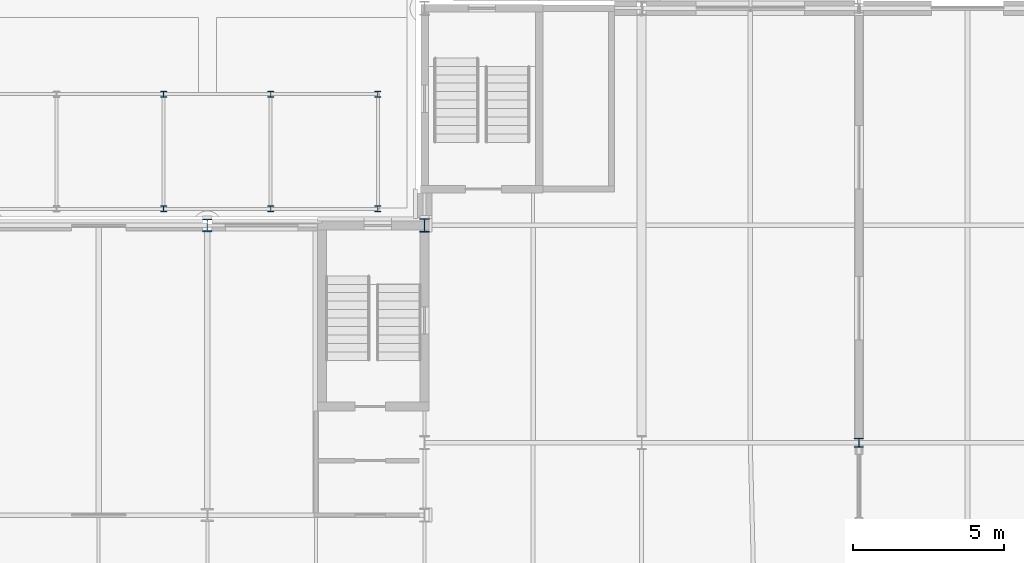
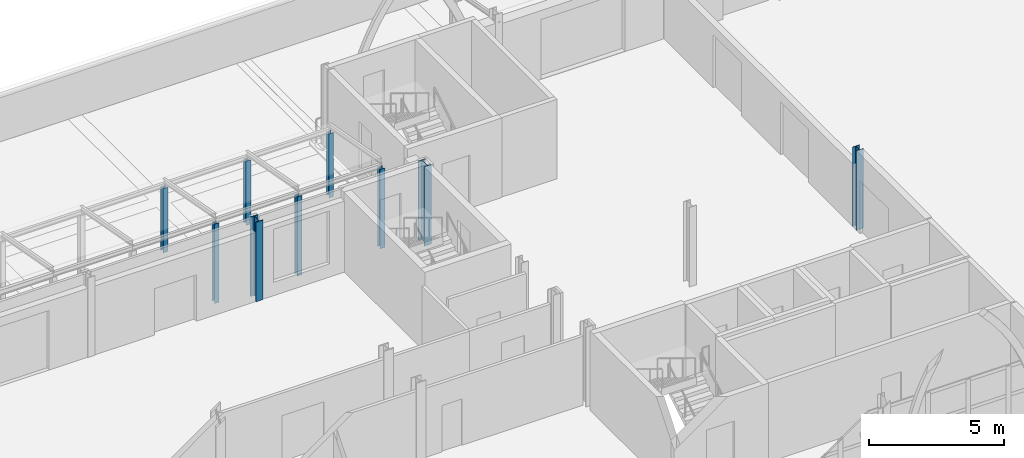
# One storey, part 24 of 143: 9 columns.
"""IFC4 building model written with IfcOpenShell, lengths in metres."""

from ifc_helpers import new_model, si_unit, direction, frame, origin, origin_2d, place, context, subcontext, project, spatial, i_section, extrude, material, material_profile, profile_set, type_object, element, save


model = new_model("IFC4")

# Units and contexts
model_context = context("Model", 3, precision=1e-05, world=origin(), true_north=direction((0.0, 1.0)))
body_context = subcontext(model_context, "Body", "Model", "MODEL_VIEW")
ifc_project = project(units=[si_unit("LENGTHUNIT", "METRE"), si_unit("AREAUNIT", "SQUARE_METRE"), si_unit("VOLUMEUNIT", "CUBIC_METRE"), si_unit("PLANEANGLEUNIT", "RADIAN"), si_unit("MASSUNIT", "GRAM", prefix="KILO")], contexts=[model_context])

# Site, building, storey
site_placement = place(None, origin())
site = spatial("IfcSite", under=ifc_project, at=site_placement, CompositionType="ELEMENT")
building_placement = place(site_placement, origin())
building = spatial("IfcBuilding", under=site, at=building_placement, Name="Kupolbacken Congress Centre", CompositionType="ELEMENT")
storey_placement = place(building_placement, frame((0.0, 0.0, 7.199951171875)))
storey = spatial("IfcBuildingStorey", under=building, at=storey_placement, Name="L02", CompositionType="ELEMENT", Elevation=7.199951171875)

# Columns
ifc_material_1 = material(Name="Steel S355", Category="steel")
ifc_material_profile_1 = material_profile(ifc_material_1, i_section(OverallWidth=0.306884765625, OverallDepth=0.431884765625, WebThickness=0.02099609375, FlangeThickness=0.0400390625, FilletRadius=0.027099609375, at=origin_2d()), Name="HEM 400")
ifc_profile_set_1 = profile_set([ifc_material_profile_1], Name="Steel S355")
column_type_1 = type_object("IfcColumnType", Name="C02 column HEM 400", PredefinedType="COLUMN", material=ifc_profile_set_1)
column_1_placement = place(storey_placement, frame((129.60009765625, 144.0, 0.0), z_axis=(0.0, 0.0, 1.0), x_axis=(1.0, 0.0, 0.0)))
element("IfcColumn", 1, at=column_1_placement, inside=storey, type_object=column_type_1, Name="S/col/C-T-19W/L02", PredefinedType="COLUMN", context=body_context, shape_type="SweptSolid", body=[
    extrude(i_section(OverallWidth=0.306884765625, OverallDepth=0.431884765625, WebThickness=0.02099609375, FlangeThickness=0.0400390625, FilletRadius=0.027099609375, at=origin_2d()), origin(), (0.0, 0.0, 1.0), 3.60009765625),
])
ifc_material_2 = material(Name="Steel S355", Category="steel")
ifc_material_profile_2 = material_profile(ifc_material_2, i_section(OverallWidth=0.300048828125, OverallDepth=0.449951171875, WebThickness=0.013916015625, FlangeThickness=0.02587890625, FilletRadius=0.027099609375, at=origin_2d()), Name="HEB 450")
ifc_profile_set_2 = profile_set([ifc_material_profile_2], Name="Steel S355")
column_type_2 = type_object("IfcColumnType", Name="C03 column HEB 450", PredefinedType="COLUMN", material=ifc_profile_set_2)
column_2_placement = place(storey_placement, frame((136.800048828125, 144.0, 0.0), z_axis=(0.0, 0.0, 1.0), x_axis=(1.0, 0.0, 0.0)))
element("IfcColumn", 2, at=column_2_placement, inside=storey, type_object=column_type_2, Name="S/col/C-T-20W/L02", PredefinedType="COLUMN", context=body_context, shape_type="SweptSolid", body=[
    extrude(i_section(OverallWidth=0.300048828125, OverallDepth=0.449951171875, WebThickness=0.013916015625, FlangeThickness=0.02587890625, FilletRadius=0.027099609375, at=origin_2d()), origin(), (0.0, 0.0, 1.0), 3.60009765625),
])
ifc_material_3 = material(Name="Steel S355", Category="steel")
ifc_material_profile_3 = material_profile(ifc_material_3, i_section(OverallWidth=0.300048828125, OverallDepth=0.300048828125, WebThickness=0.010986328125, FlangeThickness=0.01904296875, FilletRadius=0.027099609375, at=origin_2d()), Name="HEB 300")
ifc_profile_set_3 = profile_set([ifc_material_profile_3], Name="Steel S355")
column_type_3 = type_object("IfcColumnType", Name="C06 column HEB 300", PredefinedType="COLUMN", material=ifc_profile_set_3)
column_3_placement = place(storey_placement, frame((151.199951171875, 136.800048828125, 0.0), z_axis=(0.0, 0.0, 1.0), x_axis=(1.0, 0.0, 0.0)))
element("IfcColumn", 3, at=column_3_placement, inside=storey, type_object=column_type_3, Name="S/col/C-B-W/L02", PredefinedType="COLUMN", context=body_context, shape_type="SweptSolid", body=[
    extrude(i_section(OverallWidth=0.300048828125, OverallDepth=0.300048828125, WebThickness=0.010986328125, FlangeThickness=0.01904296875, FilletRadius=0.027099609375, at=origin_2d()), origin(), (0.0, 0.0, 1.0), 3.60009765625),
])
ifc_material_4 = material(Name="Steel S355", Category="steel")
ifc_material_profile_4 = material_profile(ifc_material_4, i_section(OverallWidth=0.199951171875, OverallDepth=0.199951171875, WebThickness=0.009033203125, FlangeThickness=0.014892578125, FilletRadius=0.01806640625, at=origin_2d()), Name="HEB 200")
ifc_profile_set_4 = profile_set([ifc_material_profile_4], Name="Steel S355")
column_type_4 = type_object("IfcColumnType", Name="C11 column HEB 200", PredefinedType="COLUMN", material=ifc_profile_set_4)
column_4_placement = place(storey_placement, frame((128.14990234375, 144.550048828125, 0.0), z_axis=(0.0, 0.0, 1.0), x_axis=(1.0, 0.0, 0.0)))
element("IfcColumn", 4, at=column_4_placement, inside=storey, type_object=column_type_4, Name="Covered passage column", PredefinedType="COLUMN", context=body_context, shape_type="SweptSolid", body=[
    extrude(i_section(OverallWidth=0.199951171875, OverallDepth=0.199951171875, WebThickness=0.009033203125, FlangeThickness=0.014892578125, FilletRadius=0.01806640625, at=origin_2d()), origin(), (0.0, 0.0, 1.0), 3.60009765625),
])
column_5_placement = place(storey_placement, frame((128.14990234375, 148.35009765625, 0.0), z_axis=(0.0, 0.0, 1.0), x_axis=(1.0, 0.0, 0.0)))
element("IfcColumn", 5, at=column_5_placement, inside=storey, type_object=column_type_4, Name="Covered passage column", PredefinedType="COLUMN", context=body_context, shape_type="SweptSolid", body=[
    extrude(i_section(OverallWidth=0.199951171875, OverallDepth=0.199951171875, WebThickness=0.009033203125, FlangeThickness=0.014892578125, FilletRadius=0.01806640625, at=origin_2d()), origin(), (0.0, 0.0, 1.0), 2.900146484375),
])
column_6_placement = place(storey_placement, frame((131.699951171875, 144.550048828125, 0.0), z_axis=(0.0, 0.0, 1.0), x_axis=(1.0, 0.0, 0.0)))
element("IfcColumn", 6, at=column_6_placement, inside=storey, type_object=column_type_4, Name="Covered passage column", PredefinedType="COLUMN", context=body_context, shape_type="SweptSolid", body=[
    extrude(i_section(OverallWidth=0.199951171875, OverallDepth=0.199951171875, WebThickness=0.009033203125, FlangeThickness=0.014892578125, FilletRadius=0.01806640625, at=origin_2d()), origin(), (0.0, 0.0, 1.0), 3.60009765625),
])
column_7_placement = place(storey_placement, frame((131.699951171875, 148.35009765625, 0.0), z_axis=(0.0, 0.0, 1.0), x_axis=(1.0, 0.0, 0.0)))
element("IfcColumn", 7, at=column_7_placement, inside=storey, type_object=column_type_4, Name="Covered passage column", PredefinedType="COLUMN", context=body_context, shape_type="SweptSolid", body=[
    extrude(i_section(OverallWidth=0.199951171875, OverallDepth=0.199951171875, WebThickness=0.009033203125, FlangeThickness=0.014892578125, FilletRadius=0.01806640625, at=origin_2d()), origin(), (0.0, 0.0, 1.0), 2.900146484375),
])
column_8_placement = place(storey_placement, frame((135.25, 144.550048828125, 0.0), z_axis=(0.0, 0.0, 1.0), x_axis=(1.0, 0.0, 0.0)))
element("IfcColumn", 8, at=column_8_placement, inside=storey, type_object=column_type_4, Name="Covered passage column", PredefinedType="COLUMN", context=body_context, shape_type="SweptSolid", body=[
    extrude(i_section(OverallWidth=0.199951171875, OverallDepth=0.199951171875, WebThickness=0.009033203125, FlangeThickness=0.014892578125, FilletRadius=0.01806640625, at=origin_2d()), origin(), (0.0, 0.0, 1.0), 3.60009765625),
])
column_9_placement = place(storey_placement, frame((135.25, 148.35009765625, 0.0), z_axis=(0.0, 0.0, 1.0), x_axis=(1.0, 0.0, 0.0)))
element("IfcColumn", 9, at=column_9_placement, inside=storey, type_object=column_type_4, Name="Covered passage column", PredefinedType="COLUMN", context=body_context, shape_type="SweptSolid", body=[
    extrude(i_section(OverallWidth=0.199951171875, OverallDepth=0.199951171875, WebThickness=0.009033203125, FlangeThickness=0.014892578125, FilletRadius=0.01806640625, at=origin_2d()), origin(), (0.0, 0.0, 1.0), 2.900146484375),
])

save(model, "model.ifc")
